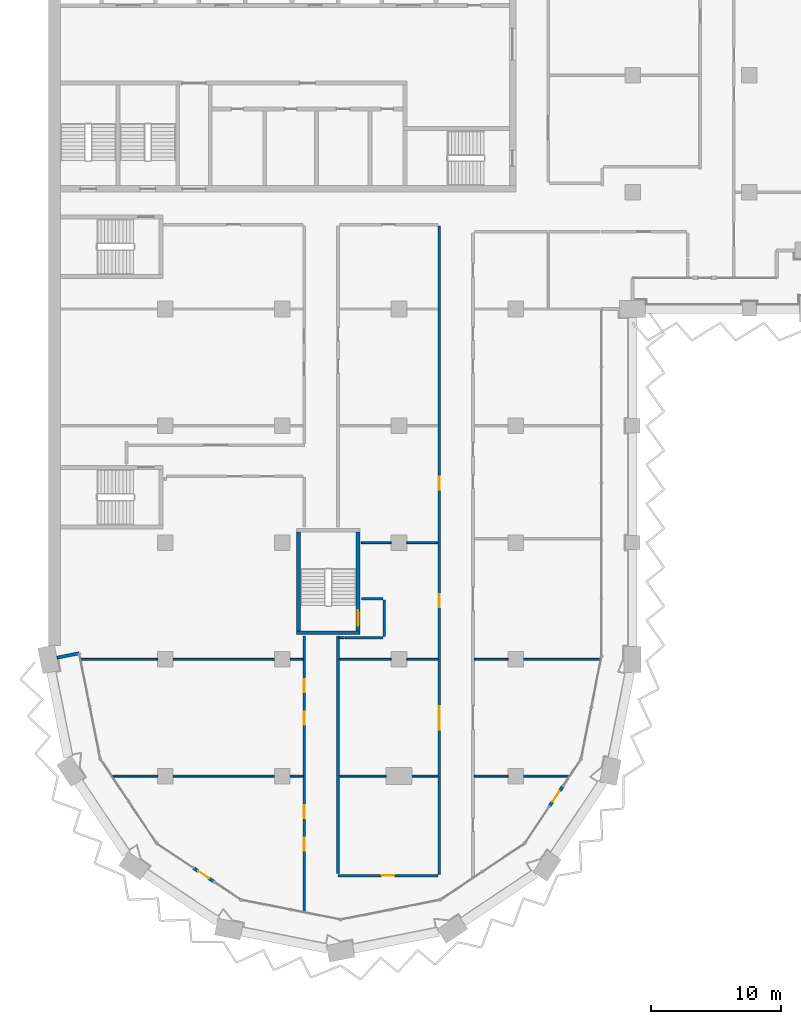
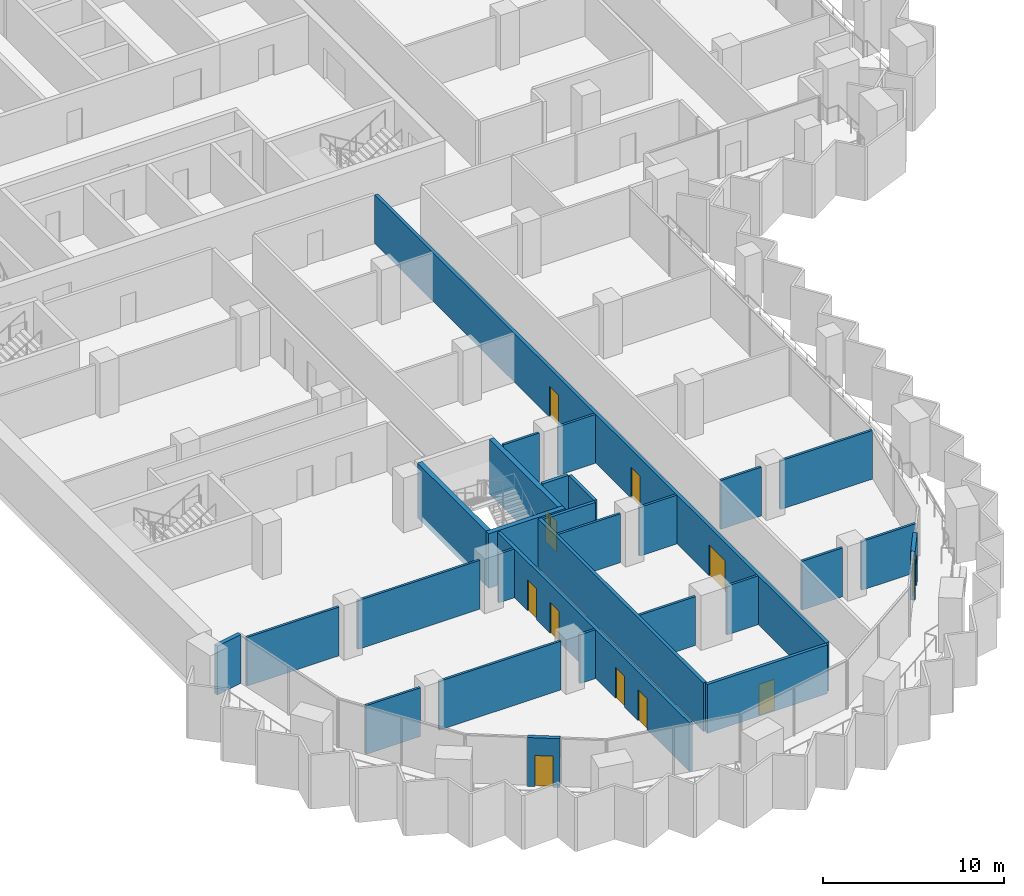
# One storey, part 9 of 23: 30 walls, 11 doors, 11 openings.
"""IFC4 building model written with IfcOpenShell, lengths in metres."""

from ifc_helpers import new_model, si_unit, direction, frame, frame_2d, origin, place, context, subcontext, project, spatial, rectangle, extrude, material, layer, layer_set, type_object, element, fill, save


model = new_model("IFC4")

# Units and contexts
model_context = context("Model", 3, precision=1e-05, world=origin(), true_north=direction((0.0, 1.0)))
body_context = subcontext(model_context, "Body", "Model", "MODEL_VIEW")
ifc_project = project(units=[si_unit("LENGTHUNIT", "METRE"), si_unit("AREAUNIT", "SQUARE_METRE"), si_unit("VOLUMEUNIT", "CUBIC_METRE"), si_unit("PLANEANGLEUNIT", "RADIAN"), si_unit("MASSUNIT", "GRAM", prefix="KILO")], contexts=[model_context])

# Site, building, storey
site_placement = place(None, origin())
site = spatial("IfcSite", under=ifc_project, at=site_placement, CompositionType="ELEMENT")
building_placement = place(site_placement, origin())
building = spatial("IfcBuilding", under=site, at=building_placement, Name="Hunhe Ridgeline Campus", CompositionType="ELEMENT")
storey_placement = place(building_placement, frame((0.0, 0.0, 148.60009765625)))
storey = spatial("IfcBuildingStorey", under=building, at=storey_placement, Name="L37", CompositionType="ELEMENT", Elevation=148.60009765625)

# Wall
ifc_material_1 = material(Name="Concrete C30", Category="concrete")
ifc_layer_1 = layer(ifc_material_1, 0.25)
ifc_layer_set_1 = layer_set([ifc_layer_1], Name="Corner return wall 250 Concrete C30")
wall_type_1 = type_object("IfcWallType", Name="Corner return wall 250 Concrete C30", PredefinedType="SOLIDWALL", material=ifc_layer_set_1)
wall_1_placement = place(storey_placement, frame((0.637451171875, 27.127685546875, 0.0), z_axis=(0.0, 0.0, 1.0), x_axis=(0.980842591884, 0.194801976239, 0.0)))
element("IfcWall", 1, at=wall_1_placement, inside=storey, type_object=wall_type_1, Name="Corner return wall 1", PredefinedType="SOLIDWALL", context=body_context, shape_type="SweptSolid", body=[
    extrude(rectangle(XDim=1.750732421875, YDim=0.25, at=frame_2d((0.87548828125, 0.0))), origin(), (0.0, 0.0, 1.0), 3.2998046875),
])

# Wall, opening, door
ifc_material_2 = material(Name="Gypsum board partition")
ifc_layer_2 = layer(ifc_material_2, 0.199951171875)
ifc_layer_set_2 = layer_set([ifc_layer_2], Name="Corridor partition 200 gypsum board on steel studs")
wall_type_2 = type_object("IfcWallType", Name="Corridor partition 200 gypsum board on steel studs", PredefinedType="PARTITIONING", material=ifc_layer_set_2)
wall_2_placement = place(storey_placement, frame((22.300048828125, 10.339111328125, 0.0), z_axis=(0.0, 0.0, 1.0), x_axis=(1.0, 0.0, 0.0)))
wall_2 = element("IfcWall", 2, at=wall_2_placement, inside=storey, type_object=wall_type_2, Name="F-L37-wall-001", PredefinedType="PARTITIONING", context=body_context, shape_type="SweptSolid", body=[
    extrude(rectangle(XDim=7.699951171875, YDim=0.199951171875, at=frame_2d((3.85009765625, 0.0))), origin(), (0.0, 0.0, 1.0), 3.2998046875),
])
opening_1_placement = place(wall_2_placement, frame((3.35009765625, 0.0, 0.0)))
opening_1 = element("IfcOpeningElement", 3, at=opening_1_placement, cuts=wall_2, Name="Opening RD1-001", PredefinedType="OPENING", context=body_context, shape_type="SweptSolid", body=[
    extrude(rectangle(XDim=1.0, YDim=2.10009765625, at=frame_2d((0.5, 1.050048828125))), frame((0.0, 0.10009765625, 0.0), z_axis=(0.0, -1.0, 0.0), x_axis=(1.0, 0.0, 0.0)), (0.0, 0.0, 1.0), 0.199951171875),
])
ifc_material_3 = material(Name="Timber door leaf", Category="wood")
door_type_1 = type_object("IfcDoorType", Name="Single fire door 1000x2100 timber FD60", OperationType="NOTDEFINED", PredefinedType="DOOR", material=ifc_material_3)
door_1_placement = place(opening_1_placement, origin())
door_1 = element("IfcDoor", 4, at=door_1_placement, inside=storey, type_object=door_type_1, Name="F-L37-door-001", OperationType="SINGLE_SWING_LEFT", OverallHeight=2.10009765625, OverallWidth=1.0, PredefinedType="DOOR", context=body_context, shape_type="SweptSolid", body=[
    extrude(rectangle(XDim=1.0, YDim=2.10009765625, at=frame_2d((0.5, 1.050048828125))), frame((0.0, 0.02490234375, 0.0), z_axis=(0.0, -1.0, 0.0), x_axis=(1.0, 0.0, 0.0)), (0.0, 0.0, 1.0), 0.050048828125),
])
fill(opening_1, door_1)

# Walls
wall_3_placement = place(storey_placement, frame((25.75, 28.675048828125, 0.0), z_axis=(0.0, 0.0, 1.0), x_axis=(-1.0, 0.0, 0.0)))
element("IfcWall", 5, at=wall_3_placement, inside=storey, type_object=wall_type_2, Name="F-L37-wall-016", PredefinedType="PARTITIONING", context=body_context, shape_type="SweptSolid", body=[
    extrude(rectangle(XDim=2.89990234375, YDim=0.199951171875, at=frame_2d((1.449951171875, 0.0))), origin(), (0.0, 0.0, 1.0), 3.2998046875),
])
wall_4_placement = place(storey_placement, frame((24.10400390625, 31.675048828125, 0.0), z_axis=(0.0, 0.0, 1.0), x_axis=(1.0, 0.0, 0.0)))
element("IfcWall", 6, at=wall_4_placement, inside=storey, type_object=wall_type_2, Name="F-L37-wall-018", PredefinedType="PARTITIONING", context=body_context, shape_type="SweptSolid", body=[
    extrude(rectangle(XDim=1.64599609375, YDim=0.199951171875, at=frame_2d((0.822998046875, 0.0))), origin(), (0.0, 0.0, 1.0), 3.2998046875),
])

# Wall, openings, doors
wall_5_placement = place(storey_placement, frame((19.699951171875, 7.56005859375, 0.0), z_axis=(0.0, 0.0, 1.0), x_axis=(0.0, 1.0, 0.0)))
wall_5 = element("IfcWall", 7, at=wall_5_placement, inside=storey, type_object=wall_type_2, Name="F-L37-wall-061", PredefinedType="PARTITIONING", context=body_context, shape_type="SweptSolid", body=[
    extrude(rectangle(XDim=21.23583984375, YDim=0.199951171875, at=frame_2d((10.617919921875, 0.0))), origin(), (0.0, 0.0, 1.0), 3.2998046875),
])
opening_2_placement = place(wall_5_placement, frame((4.6826171875, 0.0, 0.0)))
opening_2 = element("IfcOpeningElement", 8, at=opening_2_placement, cuts=wall_5, Name="Opening RD1-002", PredefinedType="OPENING", context=body_context, shape_type="SweptSolid", body=[
    extrude(rectangle(XDim=1.0, YDim=2.10009765625, at=frame_2d((0.5, 1.050048828125))), frame((0.0, 0.10009765625, 0.0), z_axis=(0.0, -1.0, 0.0), x_axis=(1.0, 0.0, 0.0)), (0.0, 0.0, 1.0), 0.199951171875),
])
opening_3_placement = place(wall_5_placement, frame((7.1826171875, 0.0, 0.0)))
opening_3 = element("IfcOpeningElement", 9, at=opening_3_placement, cuts=wall_5, Name="Opening RD1-004", PredefinedType="OPENING", context=body_context, shape_type="SweptSolid", body=[
    extrude(rectangle(XDim=1.0, YDim=2.10009765625, at=frame_2d((0.5, 1.050048828125))), frame((0.0, 0.10009765625, 0.0), z_axis=(0.0, -1.0, 0.0), x_axis=(1.0, 0.0, 0.0)), (0.0, 0.0, 1.0), 0.199951171875),
])
opening_4_placement = place(wall_5_placement, frame((14.415771484375, 0.0, 0.0)))
opening_4 = element("IfcOpeningElement", 10, at=opening_4_placement, cuts=wall_5, Name="Opening RD1-005", PredefinedType="OPENING", context=body_context, shape_type="SweptSolid", body=[
    extrude(rectangle(XDim=1.0, YDim=2.10009765625, at=frame_2d((0.5, 1.050048828125))), frame((0.0, 0.10009765625, 0.0), z_axis=(0.0, -1.0, 0.0), x_axis=(1.0, 0.0, 0.0)), (0.0, 0.0, 1.0), 0.199951171875),
])
opening_5_placement = place(wall_5_placement, frame((16.915771484375, 0.0, 0.0)))
opening_5 = element("IfcOpeningElement", 11, at=opening_5_placement, cuts=wall_5, Name="Opening RD1-008", PredefinedType="OPENING", context=body_context, shape_type="SweptSolid", body=[
    extrude(rectangle(XDim=1.0, YDim=2.10009765625, at=frame_2d((0.5, 1.050048828125))), frame((0.0, 0.10009765625, 0.0), z_axis=(0.0, -1.0, 0.0), x_axis=(1.0, 0.0, 0.0)), (0.0, 0.0, 1.0), 0.199951171875),
])
door_2_placement = place(opening_2_placement, frame((1.0, 0.0, 0.0), z_axis=(0.0, 0.0, 1.0), x_axis=(-1.0, 0.0, 0.0)))
door_2 = element("IfcDoor", 12, at=door_2_placement, inside=storey, type_object=door_type_1, Name="F-L37-door-002", OperationType="SINGLE_SWING_RIGHT", OverallHeight=2.10009765625, OverallWidth=1.0, PredefinedType="DOOR", context=body_context, shape_type="SweptSolid", body=[
    extrude(rectangle(XDim=1.0, YDim=2.10009765625, at=frame_2d((0.5, 1.050048828125))), frame((0.0, 0.02490234375, 0.0), z_axis=(0.0, -1.0, 0.0), x_axis=(1.0, 0.0, 0.0)), (0.0, 0.0, 1.0), 0.050048828125),
])
fill(opening_2, door_2)
door_3_placement = place(opening_3_placement, frame((1.0, 0.0, 0.0), z_axis=(0.0, 0.0, 1.0), x_axis=(-1.0, 0.0, 0.0)))
door_3 = element("IfcDoor", 13, at=door_3_placement, inside=storey, type_object=door_type_1, Name="F-L37-door-004", OperationType="SINGLE_SWING_LEFT", OverallHeight=2.10009765625, OverallWidth=1.0, PredefinedType="DOOR", context=body_context, shape_type="SweptSolid", body=[
    extrude(rectangle(XDim=1.0, YDim=2.10009765625, at=frame_2d((0.5, 1.050048828125))), frame((0.0, 0.02490234375, 0.0), z_axis=(0.0, -1.0, 0.0), x_axis=(1.0, 0.0, 0.0)), (0.0, 0.0, 1.0), 0.050048828125),
])
fill(opening_3, door_3)
door_4_placement = place(opening_4_placement, frame((1.0, 0.0, 0.0), z_axis=(0.0, 0.0, 1.0), x_axis=(-1.0, 0.0, 0.0)))
door_4 = element("IfcDoor", 14, at=door_4_placement, inside=storey, type_object=door_type_1, Name="F-L37-door-005", OperationType="SINGLE_SWING_LEFT", OverallHeight=2.10009765625, OverallWidth=1.0, PredefinedType="DOOR", context=body_context, shape_type="SweptSolid", body=[
    extrude(rectangle(XDim=1.0, YDim=2.10009765625, at=frame_2d((0.5, 1.050048828125))), frame((0.0, 0.02490234375, 0.0), z_axis=(0.0, -1.0, 0.0), x_axis=(1.0, 0.0, 0.0)), (0.0, 0.0, 1.0), 0.050048828125),
])
fill(opening_4, door_4)
door_5_placement = place(opening_5_placement, frame((1.0, 0.0, 0.0), z_axis=(0.0, 0.0, 1.0), x_axis=(-1.0, 0.0, 0.0)))
door_5 = element("IfcDoor", 15, at=door_5_placement, inside=storey, type_object=door_type_1, Name="F-L37-door-008", OperationType="SINGLE_SWING_LEFT", OverallHeight=2.10009765625, OverallWidth=1.0, PredefinedType="DOOR", context=body_context, shape_type="SweptSolid", body=[
    extrude(rectangle(XDim=1.0, YDim=2.10009765625, at=frame_2d((0.5, 1.050048828125))), frame((0.0, 0.02490234375, 0.0), z_axis=(0.0, -1.0, 0.0), x_axis=(1.0, 0.0, 0.0)), (0.0, 0.0, 1.0), 0.050048828125),
])
fill(opening_5, door_5)

# Walls
wall_6_placement = place(storey_placement, frame((22.300048828125, 28.7958984375, 0.0), z_axis=(0.0, 0.0, 1.0), x_axis=(0.0, -1.0, 0.0)))
element("IfcWall", 16, at=wall_6_placement, inside=storey, type_object=wall_type_2, Name="F-L37-wall-064", PredefinedType="PARTITIONING", context=body_context, shape_type="SweptSolid", body=[
    extrude(rectangle(XDim=18.292236328125, YDim=0.199951171875, at=frame_2d((9.14599609375, 0.0))), origin(), (0.0, 0.0, 1.0), 3.2998046875),
])
wall_7_placement = place(storey_placement, frame((25.85009765625, 31.574951171875, 0.0), z_axis=(0.0, 0.0, 1.0), x_axis=(0.0, -1.0, 0.0)))
element("IfcWall", 17, at=wall_7_placement, inside=storey, type_object=wall_type_2, Name="F-L37-wall-066", PredefinedType="PARTITIONING", context=body_context, shape_type="SweptSolid", body=[
    extrude(rectangle(XDim=2.800048828125, YDim=0.199951171875, at=frame_2d((1.39990234375, 0.0))), origin(), (0.0, 0.0, 1.0), 3.2998046875),
])

# Wall, openings, doors
wall_8_placement = place(storey_placement, frame((30.10009765625, 10.43896484375, 0.0), z_axis=(0.0, 0.0, 1.0), x_axis=(0.0, 1.0, 0.0)))
wall_8 = element("IfcWall", 18, at=wall_8_placement, inside=storey, type_object=wall_type_2, Name="F-L37-wall-067", PredefinedType="PARTITIONING", context=body_context, shape_type="SweptSolid", body=[
    extrude(rectangle(XDim=49.9609375, YDim=0.199951171875, at=frame_2d((24.98046875, 0.0))), origin(), (0.0, 0.0, 1.0), 3.2998046875),
])
opening_6_placement = place(wall_8_placement, frame((11.15087890625, 0.0, 0.0)))
opening_6 = element("IfcOpeningElement", 19, at=opening_6_placement, cuts=wall_8, Name="Opening RD2-006", PredefinedType="OPENING", context=body_context, shape_type="SweptSolid", body=[
    extrude(rectangle(XDim=1.800048828125, YDim=2.10009765625, at=frame_2d((0.89990234375, 1.050048828125))), frame((0.0, 0.10009765625, 0.0), z_axis=(0.0, -1.0, 0.0), x_axis=(1.0, 0.0, 0.0)), (0.0, 0.0, 1.0), 0.199951171875),
])
opening_7_placement = place(wall_8_placement, frame((20.589111328125, 0.0, 0.0)))
opening_7 = element("IfcOpeningElement", 20, at=opening_7_placement, cuts=wall_8, Name="Opening RD1-009", PredefinedType="OPENING", context=body_context, shape_type="SweptSolid", body=[
    extrude(rectangle(XDim=1.0, YDim=2.10009765625, at=frame_2d((0.5, 1.050048828125))), frame((0.0, 0.10009765625, 0.0), z_axis=(0.0, -1.0, 0.0), x_axis=(1.0, 0.0, 0.0)), (0.0, 0.0, 1.0), 0.199951171875),
])
opening_8_placement = place(wall_8_placement, frame((29.627197265625, 0.0, 0.0)))
opening_8 = element("IfcOpeningElement", 21, at=opening_8_placement, cuts=wall_8, Name="Opening RD1-011", PredefinedType="OPENING", context=body_context, shape_type="SweptSolid", body=[
    extrude(rectangle(XDim=1.0, YDim=2.10009765625, at=frame_2d((0.5, 1.050048828125))), frame((0.0, 0.10009765625, 0.0), z_axis=(0.0, -1.0, 0.0), x_axis=(1.0, 0.0, 0.0)), (0.0, 0.0, 1.0), 0.199951171875),
])
door_type_2 = type_object("IfcDoorType", Name="Double fire door 1800x2100 timber FD60", OperationType="DOUBLE_DOOR_SINGLE_SWING", PredefinedType="DOOR", material=ifc_material_3)
door_6_placement = place(opening_6_placement, origin())
door_6 = element("IfcDoor", 22, at=door_6_placement, inside=storey, type_object=door_type_2, Name="F-L37-door-006", OperationType="DOUBLE_DOOR_SINGLE_SWING", OverallHeight=2.10009765625, OverallWidth=1.800048828125, PredefinedType="DOOR", context=body_context, shape_type="SweptSolid", body=[
    extrude(rectangle(XDim=1.800048828125, YDim=2.10009765625, at=frame_2d((0.89990234375, 1.050048828125))), frame((0.0, 0.02490234375, 0.0), z_axis=(0.0, -1.0, 0.0), x_axis=(1.0, 0.0, 0.0)), (0.0, 0.0, 1.0), 0.050048828125),
])
fill(opening_6, door_6)
door_7_placement = place(opening_7_placement, origin())
door_7 = element("IfcDoor", 23, at=door_7_placement, inside=storey, type_object=door_type_1, Name="F-L37-door-009", OperationType="SINGLE_SWING_RIGHT", OverallHeight=2.10009765625, OverallWidth=1.0, PredefinedType="DOOR", context=body_context, shape_type="SweptSolid", body=[
    extrude(rectangle(XDim=1.0, YDim=2.10009765625, at=frame_2d((0.5, 1.050048828125))), frame((0.0, 0.02490234375, 0.0), z_axis=(0.0, -1.0, 0.0), x_axis=(1.0, 0.0, 0.0)), (0.0, 0.0, 1.0), 0.050048828125),
])
fill(opening_7, door_7)
door_8_placement = place(opening_8_placement, origin())
door_8 = element("IfcDoor", 24, at=door_8_placement, inside=storey, type_object=door_type_1, Name="F-L37-door-011", OperationType="SINGLE_SWING_RIGHT", OverallHeight=2.10009765625, OverallWidth=1.0, PredefinedType="DOOR", context=body_context, shape_type="SweptSolid", body=[
    extrude(rectangle(XDim=1.0, YDim=2.10009765625, at=frame_2d((0.5, 1.050048828125))), frame((0.0, 0.02490234375, 0.0), z_axis=(0.0, -1.0, 0.0), x_axis=(1.0, 0.0, 0.0)), (0.0, 0.0, 1.0), 0.050048828125),
])
fill(opening_8, door_8)

# Wall, opening, door
ifc_layer_3 = layer(ifc_material_1, 0.25)
ifc_layer_set_3 = layer_set([ifc_layer_3], Name="Loggia door pier wall 250 Concrete C30")
wall_type_3 = type_object("IfcWallType", Name="Loggia door pier wall 250 Concrete C30", PredefinedType="SOLIDWALL", material=ifc_layer_set_3)
wall_9_placement = place(storey_placement, frame((11.19970703125, 10.897705078125, 0.0), z_axis=(0.0, 0.0, 1.0), x_axis=(0.83146554274, -0.555576323502, 0.0)))
wall_9 = element("IfcWall", 25, at=wall_9_placement, inside=storey, type_object=wall_type_3, Name="Loggia door pier 1", PredefinedType="SOLIDWALL", context=body_context, shape_type="SweptSolid", body=[
    extrude(rectangle(XDim=1.800048828125, YDim=0.25, at=frame_2d((0.89990234375, 0.0))), origin(), (0.0, 0.0, 1.0), 3.2998046875),
])
opening_9_placement = place(wall_9_placement, frame((0.39990234375, 0.0, 0.0)))
opening_9 = element("IfcOpeningElement", 26, at=opening_9_placement, cuts=wall_9, Name="Opening BD302", PredefinedType="OPENING", context=body_context, shape_type="SweptSolid", body=[
    extrude(rectangle(XDim=1.0, YDim=2.10009765625, at=frame_2d((0.5, 1.050048828125))), frame((0.0, 0.125, 0.0), z_axis=(0.0, -1.0, 0.0), x_axis=(1.0, 0.0, 0.0)), (0.0, 0.0, 1.0), 0.25),
])
ifc_material_4 = material(Name="Aluminium 6063", Category="aluminium")
door_type_3 = type_object("IfcDoorType", Name="Loggia glazed door 1000x2100", OperationType="NOTDEFINED", PredefinedType="DOOR", material=ifc_material_4)
door_9_placement = place(opening_9_placement, frame((1.0, 0.0, 0.0), z_axis=(0.0, 0.0, 1.0), x_axis=(-1.0, 0.0, 0.0)))
door_9 = element("IfcDoor", 27, at=door_9_placement, inside=storey, type_object=door_type_3, Name="Loggia door BD302", OperationType="SINGLE_SWING_LEFT", OverallHeight=2.10009765625, OverallWidth=1.0, PredefinedType="DOOR", context=body_context, shape_type="SweptSolid", body=[
    extrude(rectangle(XDim=1.0, YDim=2.10009765625, at=frame_2d((0.5, 1.050048828125))), frame((0.0, 0.02490234375, 0.0), z_axis=(0.0, -1.0, 0.0), x_axis=(1.0, 0.0, 0.0)), (0.0, 0.0, 1.0), 0.050048828125),
])
fill(opening_9, door_9)

wall_10_placement = place(storey_placement, frame((38.602294921875, 15.69970703125, 0.0), z_axis=(0.0, 0.0, 1.0), x_axis=(0.555576323502, 0.83146554274, 0.0)))
wall_10 = element("IfcWall", 28, at=wall_10_placement, inside=storey, type_object=wall_type_3, Name="Loggia door pier 2", PredefinedType="SOLIDWALL", context=body_context, shape_type="SweptSolid", body=[
    extrude(rectangle(XDim=1.800048828125, YDim=0.25, at=frame_2d((0.89990234375, 0.0))), origin(), (0.0, 0.0, 1.0), 3.2998046875),
])
opening_10_placement = place(wall_10_placement, frame((0.39990234375, 0.0, 0.0)))
opening_10 = element("IfcOpeningElement", 29, at=opening_10_placement, cuts=wall_10, Name="Opening BD304", PredefinedType="OPENING", context=body_context, shape_type="SweptSolid", body=[
    extrude(rectangle(XDim=1.0, YDim=2.10009765625, at=frame_2d((0.5, 1.050048828125))), frame((0.0, 0.125, 0.0), z_axis=(0.0, -1.0, 0.0), x_axis=(1.0, 0.0, 0.0)), (0.0, 0.0, 1.0), 0.25),
])
door_10_placement = place(opening_10_placement, frame((1.0, 0.0, 0.0), z_axis=(0.0, 0.0, 1.0), x_axis=(-1.0, 0.0, 0.0)))
door_10 = element("IfcDoor", 30, at=door_10_placement, inside=storey, type_object=door_type_3, Name="Loggia door BD304", OperationType="SINGLE_SWING_LEFT", OverallHeight=2.10009765625, OverallWidth=1.0, PredefinedType="DOOR", context=body_context, shape_type="SweptSolid", body=[
    extrude(rectangle(XDim=1.0, YDim=2.10009765625, at=frame_2d((0.5, 1.050048828125))), frame((0.0, 0.02490234375, 0.0), z_axis=(0.0, -1.0, 0.0), x_axis=(1.0, 0.0, 0.0)), (0.0, 0.0, 1.0), 0.050048828125),
])
fill(opening_10, door_10)

# Walls
ifc_layer_4 = layer(ifc_material_2, 0.14990234375)
ifc_layer_set_4 = layer_set([ifc_layer_4], Name="Room partition 150 gypsum board on steel studs")
wall_type_4 = type_object("IfcWallType", Name="Room partition 150 gypsum board on steel studs", PredefinedType="PARTITIONING", material=ifc_layer_set_4)
wall_11_placement = place(storey_placement, frame((4.925537109375, 18.0, 0.0), z_axis=(0.0, 0.0, 1.0), x_axis=(1.0, 0.0, 0.0)))
element("IfcWall", 31, at=wall_11_placement, inside=storey, type_object=wall_type_4, Name="F-L37-wall-002", PredefinedType="PARTITIONING", context=body_context, shape_type="SweptSolid", body=[
    extrude(rectangle(XDim=3.474365234375, YDim=0.14990234375, at=frame_2d((1.7373046875, 0.0))), origin(), (0.0, 0.0, 1.0), 3.2998046875),
])
wall_12_placement = place(storey_placement, frame((9.60009765625, 18.0, 0.0), z_axis=(0.0, 0.0, 1.0), x_axis=(1.0, 0.0, 0.0)))
element("IfcWall", 32, at=wall_12_placement, inside=storey, type_object=wall_type_4, Name="F-L37-wall-003", PredefinedType="PARTITIONING", context=body_context, shape_type="SweptSolid", body=[
    extrude(rectangle(XDim=7.7998046875, YDim=0.14990234375, at=frame_2d((3.89990234375, 0.0))), origin(), (0.0, 0.0, 1.0), 3.2998046875),
])
wall_13_placement = place(storey_placement, frame((18.60009765625, 18.0, 0.0), z_axis=(0.0, 0.0, 1.0), x_axis=(1.0, 0.0, 0.0)))
element("IfcWall", 33, at=wall_13_placement, inside=storey, type_object=wall_type_4, Name="F-L37-wall-004", PredefinedType="PARTITIONING", context=body_context, shape_type="SweptSolid", body=[
    extrude(rectangle(XDim=1.0, YDim=0.14990234375, at=frame_2d((0.5, 0.0))), origin(), (0.0, 0.0, 1.0), 3.2998046875),
])
wall_14_placement = place(storey_placement, frame((22.39990234375, 18.0, 0.0), z_axis=(0.0, 0.0, 1.0), x_axis=(1.0, 0.0, 0.0)))
element("IfcWall", 34, at=wall_14_placement, inside=storey, type_object=wall_type_4, Name="F-L37-wall-005", PredefinedType="PARTITIONING", context=body_context, shape_type="SweptSolid", body=[
    extrude(rectangle(XDim=3.60009765625, YDim=0.14990234375, at=frame_2d((1.800048828125, 0.0))), origin(), (0.0, 0.0, 1.0), 3.2998046875),
])
wall_15_placement = place(storey_placement, frame((28.0, 18.0, 0.0), z_axis=(0.0, 0.0, 1.0), x_axis=(1.0, 0.0, 0.0)))
element("IfcWall", 35, at=wall_15_placement, inside=storey, type_object=wall_type_4, Name="F-L37-wall-006", PredefinedType="PARTITIONING", context=body_context, shape_type="SweptSolid", body=[
    extrude(rectangle(XDim=2.0, YDim=0.14990234375, at=frame_2d((1.0, 0.0))), origin(), (0.0, 0.0, 1.0), 3.2998046875),
])
wall_16_placement = place(storey_placement, frame((32.800048828125, 18.0, 0.0), z_axis=(0.0, 0.0, 1.0), x_axis=(1.0, 0.0, 0.0)))
element("IfcWall", 36, at=wall_16_placement, inside=storey, type_object=wall_type_4, Name="F-L37-wall-007", PredefinedType="PARTITIONING", context=body_context, shape_type="SweptSolid", body=[
    extrude(rectangle(XDim=2.599853515625, YDim=0.14990234375, at=frame_2d((1.2998046875, 0.0))), origin(), (0.0, 0.0, 1.0), 3.2998046875),
])
wall_17_placement = place(storey_placement, frame((36.60009765625, 18.0, 0.0), z_axis=(0.0, 0.0, 1.0), x_axis=(1.0, 0.0, 0.0)))
element("IfcWall", 37, at=wall_17_placement, inside=storey, type_object=wall_type_4, Name="F-L37-wall-008", PredefinedType="PARTITIONING", context=body_context, shape_type="SweptSolid", body=[
    extrude(rectangle(XDim=3.474365234375, YDim=0.14990234375, at=frame_2d((1.7373046875, 0.0))), origin(), (0.0, 0.0, 1.0), 3.2998046875),
])
wall_18_placement = place(storey_placement, frame((2.503173828125, 27.0, 0.0), z_axis=(0.0, 0.0, 1.0), x_axis=(1.0, 0.0, 0.0)))
element("IfcWall", 38, at=wall_18_placement, inside=storey, type_object=wall_type_4, Name="F-L37-wall-009", PredefinedType="PARTITIONING", context=body_context, shape_type="SweptSolid", body=[
    extrude(rectangle(XDim=5.896728515625, YDim=0.14990234375, at=frame_2d((2.9482421875, 0.0))), origin(), (0.0, 0.0, 1.0), 3.2998046875),
])
wall_19_placement = place(storey_placement, frame((9.60009765625, 27.0, 0.0), z_axis=(0.0, 0.0, 1.0), x_axis=(1.0, 0.0, 0.0)))
element("IfcWall", 39, at=wall_19_placement, inside=storey, type_object=wall_type_4, Name="F-L37-wall-010", PredefinedType="PARTITIONING", context=body_context, shape_type="SweptSolid", body=[
    extrude(rectangle(XDim=7.7998046875, YDim=0.14990234375, at=frame_2d((3.89990234375, 0.0))), origin(), (0.0, 0.0, 1.0), 3.2998046875),
])
wall_20_placement = place(storey_placement, frame((18.60009765625, 27.0, 0.0), z_axis=(0.0, 0.0, 1.0), x_axis=(1.0, 0.0, 0.0)))
element("IfcWall", 40, at=wall_20_placement, inside=storey, type_object=wall_type_4, Name="F-L37-wall-011", PredefinedType="PARTITIONING", context=body_context, shape_type="SweptSolid", body=[
    extrude(rectangle(XDim=1.0, YDim=0.14990234375, at=frame_2d((0.5, 0.0))), origin(), (0.0, 0.0, 1.0), 3.2998046875),
])
wall_21_placement = place(storey_placement, frame((22.39990234375, 27.0, 0.0), z_axis=(0.0, 0.0, 1.0), x_axis=(1.0, 0.0, 0.0)))
element("IfcWall", 41, at=wall_21_placement, inside=storey, type_object=wall_type_4, Name="F-L37-wall-012", PredefinedType="PARTITIONING", context=body_context, shape_type="SweptSolid", body=[
    extrude(rectangle(XDim=4.0, YDim=0.14990234375, at=frame_2d((2.0, 0.0))), origin(), (0.0, 0.0, 1.0), 3.2998046875),
])
wall_22_placement = place(storey_placement, frame((27.60009765625, 27.0, 0.0), z_axis=(0.0, 0.0, 1.0), x_axis=(1.0, 0.0, 0.0)))
element("IfcWall", 42, at=wall_22_placement, inside=storey, type_object=wall_type_4, Name="F-L37-wall-013", PredefinedType="PARTITIONING", context=body_context, shape_type="SweptSolid", body=[
    extrude(rectangle(XDim=2.39990234375, YDim=0.14990234375, at=frame_2d((1.199951171875, 0.0))), origin(), (0.0, 0.0, 1.0), 3.2998046875),
])
wall_23_placement = place(storey_placement, frame((32.800048828125, 27.0, 0.0), z_axis=(0.0, 0.0, 1.0), x_axis=(1.0, 0.0, 0.0)))
element("IfcWall", 43, at=wall_23_placement, inside=storey, type_object=wall_type_4, Name="F-L37-wall-014", PredefinedType="PARTITIONING", context=body_context, shape_type="SweptSolid", body=[
    extrude(rectangle(XDim=2.599853515625, YDim=0.14990234375, at=frame_2d((1.2998046875, 0.0))), origin(), (0.0, 0.0, 1.0), 3.2998046875),
])
wall_24_placement = place(storey_placement, frame((36.60009765625, 27.0, 0.0), z_axis=(0.0, 0.0, 1.0), x_axis=(1.0, 0.0, 0.0)))
element("IfcWall", 44, at=wall_24_placement, inside=storey, type_object=wall_type_4, Name="F-L37-wall-015", PredefinedType="PARTITIONING", context=body_context, shape_type="SweptSolid", body=[
    extrude(rectangle(XDim=5.896728515625, YDim=0.14990234375, at=frame_2d((2.9482421875, 0.0))), origin(), (0.0, 0.0, 1.0), 3.2998046875),
])
wall_25_placement = place(storey_placement, frame((22.39990234375, 28.675048828125, 0.0), z_axis=(0.0, 0.0, 1.0), x_axis=(1.0, 0.0, 0.0)))
element("IfcWall", 45, at=wall_25_placement, inside=storey, type_object=wall_type_4, Name="F-L37-wall-017", PredefinedType="PARTITIONING", context=body_context, shape_type="SweptSolid", body=[
    extrude(rectangle(XDim=0.379638671875, YDim=0.14990234375, at=frame_2d((0.18994140625, 0.0))), origin(), (0.0, 0.0, 1.0), 3.2998046875),
])
wall_26_placement = place(storey_placement, frame((24.10400390625, 36.0, 0.0), z_axis=(0.0, 0.0, 1.0), x_axis=(1.0, 0.0, 0.0)))
element("IfcWall", 46, at=wall_26_placement, inside=storey, type_object=wall_type_4, Name="F-L37-wall-019", PredefinedType="PARTITIONING", context=body_context, shape_type="SweptSolid", body=[
    extrude(rectangle(XDim=2.2958984375, YDim=0.14990234375, at=frame_2d((1.14794921875, 0.0))), origin(), (0.0, 0.0, 1.0), 3.2998046875),
])
wall_27_placement = place(storey_placement, frame((27.60009765625, 36.0, 0.0), z_axis=(0.0, 0.0, 1.0), x_axis=(1.0, 0.0, 0.0)))
element("IfcWall", 47, at=wall_27_placement, inside=storey, type_object=wall_type_4, Name="F-L37-wall-020", PredefinedType="PARTITIONING", context=body_context, shape_type="SweptSolid", body=[
    extrude(rectangle(XDim=2.39990234375, YDim=0.14990234375, at=frame_2d((1.199951171875, 0.0))), origin(), (0.0, 0.0, 1.0), 3.2998046875),
])
ifc_material_5 = material(Name="Concrete C70", Category="concrete")
ifc_layer_5 = layer(ifc_material_5, 0.300048828125)
ifc_layer_set_5 = layer_set([ifc_layer_5], Name="Stair wall 300 reinforced concrete C70")
wall_type_5 = type_object("IfcWallType", Name="Stair wall 300 reinforced concrete C70", PredefinedType="SOLIDWALL", material=ifc_layer_set_5)
wall_28_placement = place(storey_placement, frame((19.10009765625, 29.050048828125, -0.400146484375), z_axis=(0.0, 0.0, 1.0), x_axis=(1.0, 0.0, 0.0)))
element("IfcWall", 48, at=wall_28_placement, inside=storey, type_object=wall_type_5, Name="L37 core wall 1", PredefinedType="SOLIDWALL", context=body_context, shape_type="SweptSolid", body=[
    extrude(rectangle(XDim=4.89990234375, YDim=0.300048828125, at=frame_2d((2.449951171875, 0.0))), origin(), (0.0, 0.0, 1.0), 3.699951171875),
])
wall_29_placement = place(storey_placement, frame((19.25, 29.199951171875, -0.400146484375), z_axis=(0.0, 0.0, 1.0), x_axis=(0.0, 1.0, 0.0)))
element("IfcWall", 49, at=wall_29_placement, inside=storey, type_object=wall_type_5, Name="L37 core wall 46", PredefinedType="SOLIDWALL", context=body_context, shape_type="SweptSolid", body=[
    extrude(rectangle(XDim=7.60009765625, YDim=0.300048828125, at=frame_2d((3.800048828125, 0.0))), origin(), (0.0, 0.0, 1.0), 3.699951171875),
])

# Wall, opening, door
wall_30_placement = place(storey_placement, frame((23.85009765625, 29.199951171875, -0.400146484375), z_axis=(0.0, 0.0, 1.0), x_axis=(0.0, 1.0, 0.0)))
wall_30 = element("IfcWall", 50, at=wall_30_placement, inside=storey, type_object=wall_type_5, Name="L37 core wall 51", PredefinedType="SOLIDWALL", context=body_context, shape_type="SweptSolid", body=[
    extrude(rectangle(XDim=7.60009765625, YDim=0.300048828125, at=frame_2d((3.800048828125, 0.0))), origin(), (0.0, 0.0, 1.0), 3.699951171875),
])
opening_11_placement = place(wall_30_placement, frame((0.375, 0.0, 0.39990234375)))
opening_11 = element("IfcOpeningElement", 51, at=opening_11_placement, cuts=wall_30, Name="Opening CD23", PredefinedType="OPENING", context=body_context, shape_type="SweptSolid", body=[
    extrude(rectangle(XDim=1.199951171875, YDim=2.10009765625, at=frame_2d((0.60009765625, 1.050048828125))), frame((0.0, 0.14990234375, 0.0), z_axis=(0.0, -1.0, 0.0), x_axis=(1.0, 0.0, 0.0)), (0.0, 0.0, 1.0), 0.300048828125),
])
ifc_material_6 = material(Name="Hollow metal fire door leaf")
door_type_4 = type_object("IfcDoorType", Name="Stair door 1200x2100 FD60", OperationType="SINGLE_SWING_LEFT", PredefinedType="DOOR", material=ifc_material_6)
door_11_placement = place(opening_11_placement, frame((1.199951171875, 0.0, 0.0), z_axis=(0.0, 0.0, 1.0), x_axis=(-1.0, 0.0, 0.0)))
door_11 = element("IfcDoor", 52, at=door_11_placement, inside=storey, type_object=door_type_4, Name="L37 door W3", OperationType="SINGLE_SWING_RIGHT", OverallHeight=2.10009765625, OverallWidth=1.199951171875, PredefinedType="DOOR", context=body_context, shape_type="SweptSolid", body=[
    extrude(rectangle(XDim=1.199951171875, YDim=2.10009765625, at=frame_2d((0.60009765625, 1.050048828125))), frame((0.0, 0.02490234375, 0.0), z_axis=(0.0, -1.0, 0.0), x_axis=(1.0, 0.0, 0.0)), (0.0, 0.0, 1.0), 0.050048828125),
])
fill(opening_11, door_11)

save(model, "model.ifc")
